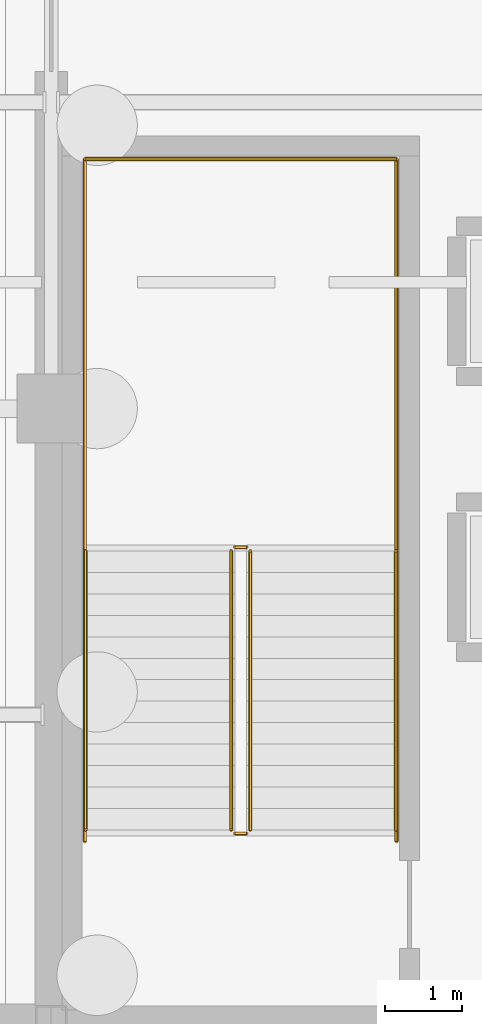
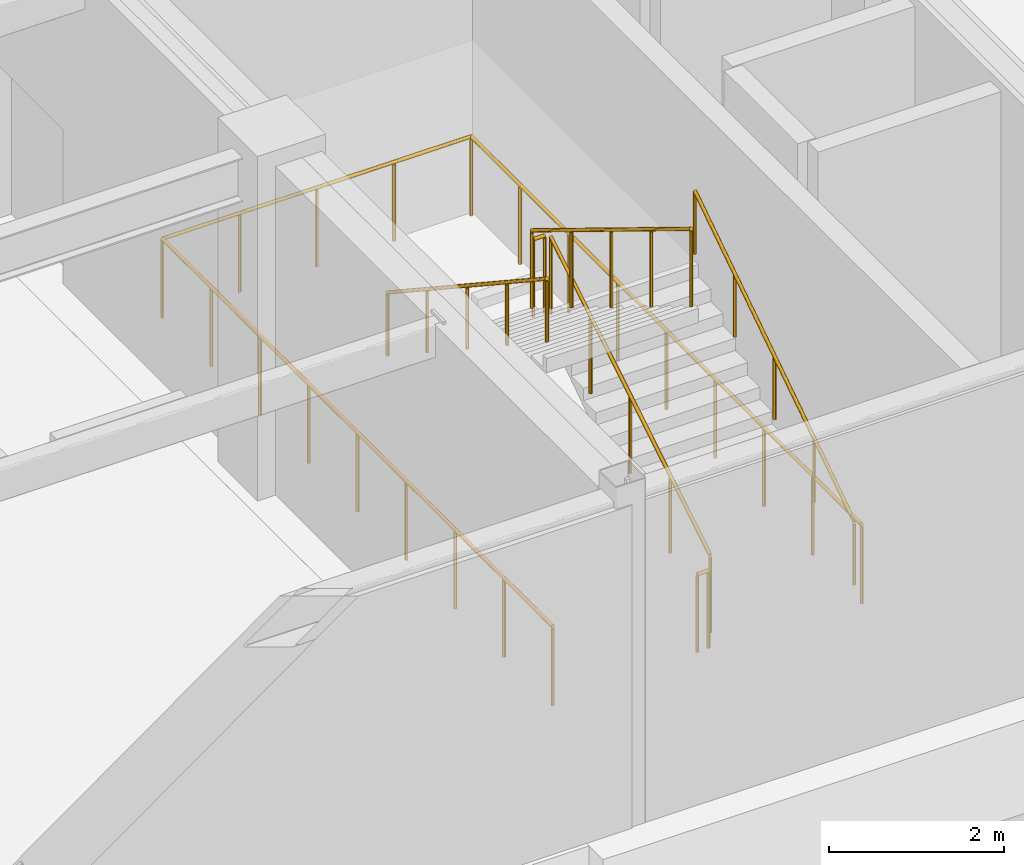
# One storey, part 99 of 105: 9 railings.
"""IFC4 building model written with IfcOpenShell, lengths in metres."""

from ifc_helpers import new_model, si_unit, direction, frame, origin, origin_2d, place, context, subcontext, project, spatial, circle, extrude, material, type_object, element, save


model = new_model("IFC4")

# Units and contexts
model_context = context("Model", 3, precision=1e-05, world=origin(), true_north=direction((0.0, 1.0)))
body_context = subcontext(model_context, "Body", "Model", "MODEL_VIEW")
ifc_project = project(units=[si_unit("LENGTHUNIT", "METRE"), si_unit("AREAUNIT", "SQUARE_METRE"), si_unit("VOLUMEUNIT", "CUBIC_METRE"), si_unit("PLANEANGLEUNIT", "RADIAN"), si_unit("MASSUNIT", "GRAM", prefix="KILO")], contexts=[model_context])

# Site, building, storey
site_placement = place(None, origin())
site = spatial("IfcSite", under=ifc_project, at=site_placement, CompositionType="ELEMENT")
building_placement = place(site_placement, origin())
building = spatial("IfcBuilding", under=site, at=building_placement, Name="Solmirada Galleria", CompositionType="ELEMENT")
storey_placement = place(building_placement, frame((0.0, 0.0, -4.800048828125)))
storey = spatial("IfcBuildingStorey", under=building, at=storey_placement, Name="B1", CompositionType="ELEMENT", Elevation=-4.800048828125)

# Railings
ifc_material = material(Name="Painted steel tubular railing", Category="steel")
railing_type_1 = type_object("IfcRailingType", Name="RAIL-STAIR-GUARD", PredefinedType="GUARDRAIL", material=ifc_material)
railing_1_placement = place(storey_placement, frame((90.60009765625, 2.5, 0.17138671875)))
element("IfcRailing", 1, at=railing_1_placement, inside=storey, type_object=railing_type_1, Name="B1 ST2 stair guard 1", PredefinedType="GUARDRAIL", context=body_context, shape_type="SweptSolid", body=[
    extrude(circle(Radius=0.02392578125, at=origin_2d()), frame((0.0, 0.0, 1.076171875), z_axis=(0.0, 0.852824790078, 0.522197163366), x_axis=(-1.0, 0.0, 0.0)), (0.0, 0.0, 1.0), 4.26806640625),
    extrude(circle(Radius=0.02099609375, at=origin_2d()), origin(), (0.0, 0.0, 1.0), 1.048095703125),
    extrude(circle(Radius=0.02099609375, at=origin_2d()), frame((0.0, 0.909912109375, 0.55712890625)), (0.0, 0.0, 1.0), 1.048095703125),
    extrude(circle(Radius=0.02099609375, at=origin_2d()), frame((0.0, 1.81982421875, 1.1142578125)), (0.0, 0.0, 1.0), 1.048095703125),
    extrude(circle(Radius=0.02099609375, at=origin_2d()), frame((0.0, 2.72998046875, 1.671630859375)), (0.0, 0.0, 1.0), 1.048095703125),
    extrude(circle(Radius=0.02099609375, at=origin_2d()), frame((0.0, 3.639892578125, 2.228759765625)), (0.0, 0.0, 1.0), 1.048095703125),
])
railing_2_placement = place(storey_placement, frame((90.550048828125, 6.18994140625, 2.400146484375)))
element("IfcRailing", 2, at=railing_2_placement, inside=storey, type_object=railing_type_1, Name="B1 ST2 stair guard 2", PredefinedType="GUARDRAIL", context=body_context, shape_type="SweptSolid", body=[
    extrude(circle(Radius=0.02392578125, at=origin_2d()), frame((0.0, 0.0, 1.076171875), z_axis=(-1.0, 0.0, 0.0), x_axis=(0.0, -1.0, 0.0)), (0.0, 0.0, 1.0), 0.150146484375),
    extrude(circle(Radius=0.02099609375, at=origin_2d()), origin(), (0.0, 0.0, 1.0), 1.048095703125),
    extrude(circle(Radius=0.02099609375, at=origin_2d()), frame((-0.150146484375, 0.0, 0.0)), (0.0, 0.0, 1.0), 1.048095703125),
])
railing_3_placement = place(storey_placement, frame((90.35009765625, 6.139892578125, 2.571533203125)))
element("IfcRailing", 3, at=railing_3_placement, inside=storey, type_object=railing_type_1, Name="B1 ST2 stair guard 3", PredefinedType="GUARDRAIL", context=body_context, shape_type="SweptSolid", body=[
    extrude(circle(Radius=0.02392578125, at=origin_2d()), frame((0.0, 0.0, 1.076171875), z_axis=(0.0, -0.852850264322, 0.5221555579), x_axis=(1.0, 0.0, 0.0)), (0.0, 0.0, 1.0), 4.267822265625),
    extrude(circle(Radius=0.02099609375, at=origin_2d()), origin(), (0.0, 0.0, 1.0), 1.048095703125),
    extrude(circle(Radius=0.02099609375, at=origin_2d()), frame((0.0, -0.909912109375, 0.55712890625)), (0.0, 0.0, 1.0), 1.048095703125),
    extrude(circle(Radius=0.02099609375, at=origin_2d()), frame((0.0, -1.81982421875, 1.1142578125)), (0.0, 0.0, 1.0), 1.048095703125),
    extrude(circle(Radius=0.02099609375, at=origin_2d()), frame((0.0, -2.72998046875, 1.67138671875)), (0.0, 0.0, 1.0), 1.048095703125),
    extrude(circle(Radius=0.02099609375, at=origin_2d()), frame((0.0, -3.639892578125, 2.228515625)), (0.0, 0.0, 1.0), 1.048095703125),
])
railing_4_placement = place(storey_placement, frame((90.550048828125, 2.449951171875, 0.0)))
element("IfcRailing", 4, at=railing_4_placement, inside=storey, type_object=railing_type_1, Name="B1 ST2 stair guard 4", PredefinedType="GUARDRAIL", context=body_context, shape_type="SweptSolid", body=[
    extrude(circle(Radius=0.02392578125, at=origin_2d()), frame((0.0, 0.0, 1.076171875), z_axis=(-1.0, 0.0, 0.0), x_axis=(0.0, -1.0, 0.0)), (0.0, 0.0, 1.0), 0.150146484375),
    extrude(circle(Radius=0.02099609375, at=origin_2d()), origin(), (0.0, 0.0, 1.0), 1.048095703125),
    extrude(circle(Radius=0.02099609375, at=origin_2d()), frame((-0.150146484375, 0.0, 0.0)), (0.0, 0.0, 1.0), 1.048095703125),
])
railing_5_placement = place(storey_placement, frame((88.43994140625, 2.35009765625, 0.0)))
element("IfcRailing", 5, at=railing_5_placement, inside=storey, type_object=railing_type_1, Name="Stair ST2 well edge guard B1-1", PredefinedType="GUARDRAIL", context=body_context, shape_type="SweptSolid", body=[
    extrude(circle(Radius=0.02392578125, at=origin_2d()), frame((0.0, 0.0, 1.09619140625), z_axis=(0.0, 1.0, 0.0), x_axis=(-1.0, 0.0, 0.0)), (0.0, 0.0, 1.0), 8.909912109375),
    extrude(circle(Radius=0.02099609375, at=origin_2d()), origin(), (0.0, 0.0, 1.0), 1.068115234375),
    extrude(circle(Radius=0.02099609375, at=origin_2d()), frame((0.0, 1.11376953125, 0.0)), (0.0, 0.0, 1.0), 1.068115234375),
    extrude(circle(Radius=0.02099609375, at=origin_2d()), frame((0.0, 2.2275390625, 0.0)), (0.0, 0.0, 1.0), 1.068115234375),
    extrude(circle(Radius=0.02099609375, at=origin_2d()), frame((0.0, 3.34130859375, 0.0)), (0.0, 0.0, 1.0), 1.068115234375),
    extrude(circle(Radius=0.02099609375, at=origin_2d()), frame((0.0, 4.455078125, 0.0)), (0.0, 0.0, 1.0), 1.068115234375),
    extrude(circle(Radius=0.02099609375, at=origin_2d()), frame((0.0, 5.568603515625, 0.0)), (0.0, 0.0, 1.0), 1.068115234375),
    extrude(circle(Radius=0.02099609375, at=origin_2d()), frame((0.0, 6.682373046875, 0.0)), (0.0, 0.0, 1.0), 1.068115234375),
    extrude(circle(Radius=0.02099609375, at=origin_2d()), frame((0.0, 7.796142578125, 0.0)), (0.0, 0.0, 1.0), 1.068115234375),
    extrude(circle(Radius=0.02099609375, at=origin_2d()), frame((0.0, 8.909912109375, 0.0)), (0.0, 0.0, 1.0), 1.068115234375),
])
railing_6_placement = place(storey_placement, frame((88.43994140625, 11.260009765625, 0.0)))
element("IfcRailing", 6, at=railing_6_placement, inside=storey, type_object=railing_type_1, Name="Stair ST2 well edge guard B1-2", PredefinedType="GUARDRAIL", context=body_context, shape_type="SweptSolid", body=[
    extrude(circle(Radius=0.02392578125, at=origin_2d()), frame((0.0, 0.0, 1.09619140625), z_axis=(1.0, 0.0, 0.0), x_axis=(0.0, 1.0, 0.0)), (0.0, 0.0, 1.0), 4.070068359375),
    extrude(circle(Radius=0.02099609375, at=origin_2d()), origin(), (0.0, 0.0, 1.0), 1.068115234375),
    extrude(circle(Radius=0.02099609375, at=origin_2d()), frame((1.017578125, 0.0, 0.0)), (0.0, 0.0, 1.0), 1.068115234375),
    extrude(circle(Radius=0.02099609375, at=origin_2d()), frame((2.03515625, 0.0, 0.0)), (0.0, 0.0, 1.0), 1.068115234375),
    extrude(circle(Radius=0.02099609375, at=origin_2d()), frame((3.052490234375, 0.0, 0.0)), (0.0, 0.0, 1.0), 1.068115234375),
    extrude(circle(Radius=0.02099609375, at=origin_2d()), frame((4.070068359375, 0.0, 0.0)), (0.0, 0.0, 1.0), 1.068115234375),
])
railing_7_placement = place(storey_placement, frame((92.510009765625, 11.260009765625, 0.0)))
element("IfcRailing", 7, at=railing_7_placement, inside=storey, type_object=railing_type_1, Name="Stair ST2 well edge guard B1-3", PredefinedType="GUARDRAIL", context=body_context, shape_type="SweptSolid", body=[
    extrude(circle(Radius=0.02392578125, at=origin_2d()), frame((0.0, 0.0, 1.09619140625), z_axis=(0.0, -1.0, 0.0), x_axis=(1.0, 0.0, 0.0)), (0.0, 0.0, 1.0), 8.909912109375),
    extrude(circle(Radius=0.02099609375, at=origin_2d()), origin(), (0.0, 0.0, 1.0), 1.068115234375),
    extrude(circle(Radius=0.02099609375, at=origin_2d()), frame((0.0, -1.11376953125, 0.0)), (0.0, 0.0, 1.0), 1.068115234375),
    extrude(circle(Radius=0.02099609375, at=origin_2d()), frame((0.0, -2.2275390625, 0.0)), (0.0, 0.0, 1.0), 1.068115234375),
    extrude(circle(Radius=0.02099609375, at=origin_2d()), frame((0.0, -3.34130859375, 0.0)), (0.0, 0.0, 1.0), 1.068115234375),
    extrude(circle(Radius=0.02099609375, at=origin_2d()), frame((0.0, -4.455078125, 0.0)), (0.0, 0.0, 1.0), 1.068115234375),
    extrude(circle(Radius=0.02099609375, at=origin_2d()), frame((0.0, -5.568603515625, 0.0)), (0.0, 0.0, 1.0), 1.068115234375),
    extrude(circle(Radius=0.02099609375, at=origin_2d()), frame((0.0, -6.682373046875, 0.0)), (0.0, 0.0, 1.0), 1.068115234375),
    extrude(circle(Radius=0.02099609375, at=origin_2d()), frame((0.0, -7.796142578125, 0.0)), (0.0, 0.0, 1.0), 1.068115234375),
    extrude(circle(Radius=0.02099609375, at=origin_2d()), frame((0.0, -8.909912109375, 0.0)), (0.0, 0.0, 1.0), 1.068115234375),
])
railing_type_2 = type_object("IfcRailingType", Name="RAIL-STAIR-HAND", PredefinedType="HANDRAIL", material=ifc_material)
railing_8_placement = place(storey_placement, frame((92.5, 2.5, 0.17138671875)))
element("IfcRailing", 8, at=railing_8_placement, inside=storey, type_object=railing_type_2, Name="B1 ST2 stair handrail 1", PredefinedType="HANDRAIL", context=body_context, shape_type="SweptSolid", body=[
    extrude(circle(Radius=0.02392578125, at=origin_2d()), frame((0.0, 0.0, 0.8759765625), z_axis=(0.0, 0.834839479206, 0.550493454965), x_axis=(-1.0, 0.0, 0.0)), (0.0, 0.0, 1.0), 4.360107421875),
    extrude(circle(Radius=0.02099609375, at=origin_2d()), origin(), (0.0, 0.0, 1.0), 0.847900390625),
    extrude(circle(Radius=0.02099609375, at=origin_2d()), frame((0.0, 0.909912109375, 0.60009765625)), (0.0, 0.0, 1.0), 0.847900390625),
    extrude(circle(Radius=0.02099609375, at=origin_2d()), frame((0.0, 1.81982421875, 1.2001953125)), (0.0, 0.0, 1.0), 0.847900390625),
    extrude(circle(Radius=0.02099609375, at=origin_2d()), frame((0.0, 2.72998046875, 1.800048828125)), (0.0, 0.0, 1.0), 0.847900390625),
    extrude(circle(Radius=0.02099609375, at=origin_2d()), frame((0.0, 3.639892578125, 2.400146484375)), (0.0, 0.0, 1.0), 0.847900390625),
])
railing_9_placement = place(storey_placement, frame((88.449951171875, 6.139892578125, 2.571533203125)))
element("IfcRailing", 9, at=railing_9_placement, inside=storey, type_object=railing_type_2, Name="B1 ST2 stair handrail 2", PredefinedType="HANDRAIL", context=body_context, shape_type="SweptSolid", body=[
    extrude(circle(Radius=0.02392578125, at=origin_2d()), frame((0.0, 0.0, 0.8759765625), z_axis=(0.0, -0.834865213223, 0.550454426587), x_axis=(1.0, 0.0, 0.0)), (0.0, 0.0, 1.0), 4.35986328125),
    extrude(circle(Radius=0.02099609375, at=origin_2d()), origin(), (0.0, 0.0, 1.0), 0.847900390625),
    extrude(circle(Radius=0.02099609375, at=origin_2d()), frame((0.0, -0.909912109375, 0.60009765625)), (0.0, 0.0, 1.0), 0.847900390625),
    extrude(circle(Radius=0.02099609375, at=origin_2d()), frame((0.0, -1.81982421875, 1.199951171875)), (0.0, 0.0, 1.0), 0.847900390625),
    extrude(circle(Radius=0.02099609375, at=origin_2d()), frame((0.0, -2.72998046875, 1.7998046875)), (0.0, 0.0, 1.0), 0.847900390625),
    extrude(circle(Radius=0.02099609375, at=origin_2d()), frame((0.0, -3.639892578125, 2.39990234375)), (0.0, 0.0, 1.0), 0.847900390625),
])

save(model, "model.ifc")
